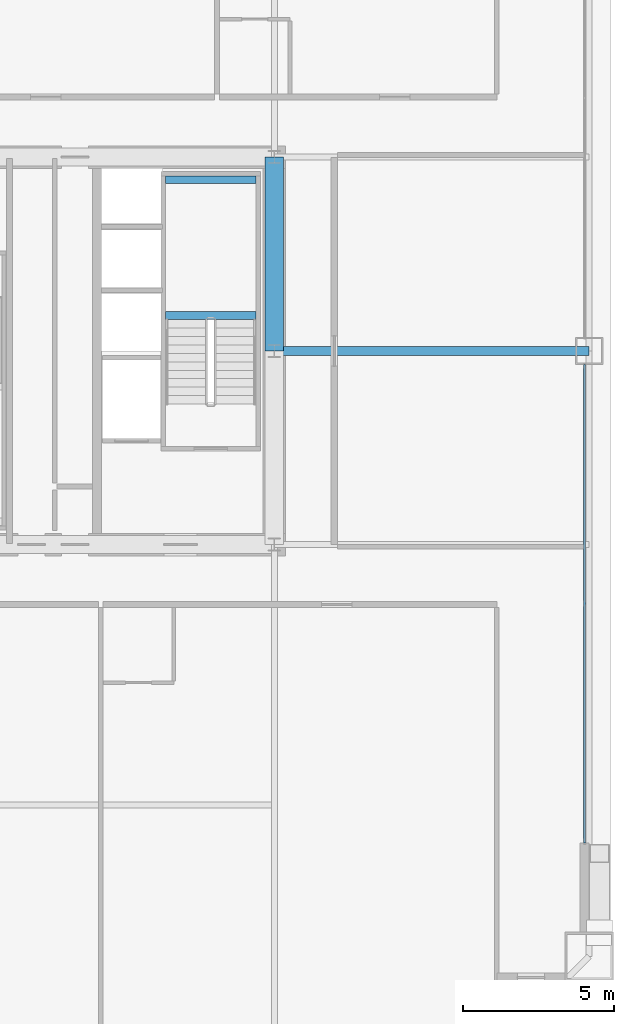
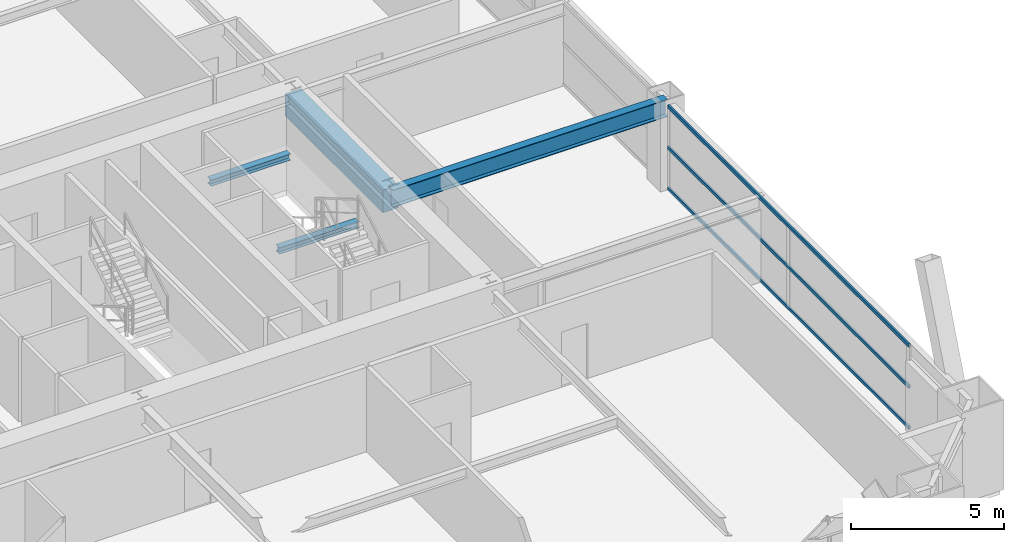
# One storey, part 21 of 43: 4 beams, 3 members, 1 element without a shape of its own.
"""IFC4 building model written with IfcOpenShell, lengths in metres."""

from ifc_helpers import new_model, si_unit, direction, frame, origin, origin_2d, place, context, subcontext, project, spatial, rectangle, hollow_rectangle, i_section, extrude, source, transform, mapped, material, layer, layer_set, material_profile, profile_set, type_object, element, aggregate, save


model = new_model("IFC4")

# Units and contexts
model_context = context("Model", 3, precision=1e-05, world=origin(), true_north=direction((0.0, 1.0)))
body_context = subcontext(model_context, "Body", "Model", "MODEL_VIEW")
ifc_project = project(units=[si_unit("LENGTHUNIT", "METRE"), si_unit("AREAUNIT", "SQUARE_METRE"), si_unit("VOLUMEUNIT", "CUBIC_METRE"), si_unit("PLANEANGLEUNIT", "RADIAN"), si_unit("MASSUNIT", "GRAM", prefix="KILO"), si_unit("THERMODYNAMICTEMPERATUREUNIT", "KELVIN"), si_unit("POWERUNIT", "WATT")], contexts=[model_context])

# Site, building, storey
site_placement = place(None, origin())
site = spatial("IfcSite", under=ifc_project, at=site_placement, CompositionType="ELEMENT")
building_placement = place(site_placement, origin())
building = spatial("IfcBuilding", under=site, at=building_placement, Name="Yuzanri Waterfront Tower", CompositionType="ELEMENT")
storey_placement = place(building_placement, frame((0.0, 0.0, 108.199951171875)))
storey = spatial("IfcBuildingStorey", under=building, at=storey_placement, Name="L28", CompositionType="ELEMENT", Elevation=108.199951171875)

# Beams
ifc_material_1 = material(Name="Concrete C60", Category="concrete")
ifc_material_profile_1 = material_profile(ifc_material_1, rectangle(XDim=0.60009765625, YDim=0.89990234375, at=origin_2d()), Name="RC 600x900")
ifc_profile_set_1 = profile_set([ifc_material_profile_1], Name="Concrete C60")
beam_type_1 = type_object("IfcBeamType", Name="Core Coupling Lintel Concrete C60 600x900", PredefinedType="LINTEL", material=ifc_profile_set_1)
shared_shape_1 = source(origin(), body_context, "Body", "SweptSolid", [
    extrude(rectangle(XDim=0.60009765625, YDim=0.89990234375, at=origin_2d()), origin(), (0.0, 0.0, 1.0), 6.39990234375),
])
beam_1_placement = place(storey_placement, frame((50.199951171875, 25.800048828125, 2.929931640625), z_axis=(0.0, 1.0, 0.0), x_axis=(-1.0, 0.0, 0.0)))
element("IfcBeam", 1, at=beam_1_placement, inside=storey, type_object=beam_type_1, Name="L28 Core Tie Beam CE2", PredefinedType="LINTEL", context=body_context, shape_type="MappedRepresentation", body=[
    mapped(shared_shape_1, transform((0.0, 0.0, 0.0), scale=1.0)),
])
ifc_material_2 = material(Name="Steel Q355B", Category="steel")
ifc_material_profile_2 = material_profile(ifc_material_2, i_section(OverallWidth=0.300048828125, OverallDepth=0.699951171875, WebThickness=0.012939453125, FlangeThickness=0.02392578125, at=origin_2d()), Name="HN 700x300x13x24")
ifc_profile_set_2 = profile_set([ifc_material_profile_2], Name="Steel Q355B")
beam_type_2 = type_object("IfcBeamType", Name="Primary Floor Girder Q355B HN 700x300", PredefinedType="BEAM", material=ifc_profile_set_2)
shared_shape_2 = source(origin(), body_context, "Body", "SweptSolid", [
    extrude(i_section(OverallWidth=0.300048828125, OverallDepth=0.699951171875, WebThickness=0.012939453125, FlangeThickness=0.02392578125, at=origin_2d()), origin(), (0.0, 0.0, 1.0), 10.400146484375),
])
beam_2_placement = place(storey_placement, frame((50.199951171875, 25.800048828125, 3.030029296875), z_axis=(1.0, 0.0, 0.0), x_axis=(0.0, 1.0, 0.0)))
element("IfcBeam", 2, at=beam_2_placement, inside=storey, type_object=beam_type_2, Name="L28 East Grid Girder", PredefinedType="BEAM", context=body_context, shape_type="MappedRepresentation", body=[
    mapped(shared_shape_2, transform((0.0, 0.0, 0.0), scale=1.0)),
])

# Curtain wall, members
ifc_material_3 = material(Name="Anodized Architectural Bronze", Category="metal")
ifc_layer = layer(ifc_material_3, 0.159912109375)
ifc_layer_set = layer_set([ifc_layer], Name="Anodized Architectural Bronze")
curtain_wall_type = type_object("IfcCurtainWallType", Name="Anodized Bronze Hotel Upper-Tier Solar-Control Unitized Curtain Wall 7800", PredefinedType="NOTDEFINED", material=ifc_layer_set)
curtain_wall_placement = place(storey_placement, origin())
curtain_wall = element("IfcCurtainWall", 3, at=curtain_wall_placement, inside=storey, type_object=curtain_wall_type, Name="L28 Curtain Wall CW-L28-EL", PredefinedType="NOTDEFINED")
ifc_material_4 = material(Name="Anodized Architectural Bronze", Category="metal")
ifc_material_profile_3 = material_profile(ifc_material_4, hollow_rectangle(XDim=0.070068359375, YDim=0.135009765625, WallThickness=0.00341796875, at=origin_2d()), Name="CWT 70x135")
ifc_profile_set_3 = profile_set([ifc_material_profile_3], Name="Anodized Architectural Bronze")
member_type = type_object("IfcMemberType", Name="Anodized Bronze Standard Curtain-Wall Transom 70x135", PredefinedType="USERDEFINED", material=ifc_profile_set_3)
shared_shape_3 = source(origin(), body_context, "Body", "SweptSolid", [
    extrude(hollow_rectangle(XDim=0.070068359375, YDim=0.135009765625, WallThickness=0.00341796875, at=origin_2d()), origin(), (0.0, 0.0, 1.0), 15.800048828125),
])
member_1_placement = place(storey_placement, frame((60.449951171875, 9.550048828125, 0.050048828125), z_axis=(0.0, 1.0, 0.0), x_axis=(-1.0, 0.0, 0.0)))
member_1 = element("IfcMember", 4, at=member_1_placement, type_object=member_type, Name="CW-L28-EL Transom 1", ObjectType="TRANSOM", PredefinedType="USERDEFINED", context=body_context, shape_type="MappedRepresentation", body=[
    mapped(shared_shape_3, transform((0.0, 0.0, 0.0), scale=1.0)),
])
member_2_placement = place(storey_placement, frame((60.449951171875, 9.550048828125, 1.68994140625), z_axis=(0.0, 1.0, 0.0), x_axis=(-1.0, 0.0, 0.0)))
member_2 = element("IfcMember", 5, at=member_2_placement, type_object=member_type, Name="CW-L28-EL Transom 2", ObjectType="TRANSOM", PredefinedType="USERDEFINED", context=body_context, shape_type="MappedRepresentation", body=[
    mapped(shared_shape_3, transform((0.0, 0.0, 0.0), scale=1.0)),
])
member_3_placement = place(storey_placement, frame((60.449951171875, 9.550048828125, 3.330078125), z_axis=(0.0, 1.0, 0.0), x_axis=(-1.0, 0.0, 0.0)))
member_3 = element("IfcMember", 6, at=member_3_placement, type_object=member_type, Name="CW-L28-EL Transom 3", ObjectType="TRANSOM", PredefinedType="USERDEFINED", context=body_context, shape_type="MappedRepresentation", body=[
    mapped(shared_shape_3, transform((0.0, 0.0, 0.0), scale=1.0)),
])
aggregate(curtain_wall, [member_1, member_2, member_3])

# Beams
ifc_material_5 = material(Name="Steel Q355B", Category="steel")
ifc_material_profile_4 = material_profile(ifc_material_5, i_section(OverallWidth=0.25, OverallDepth=0.25, WebThickness=0.009033203125, FlangeThickness=0.013916015625, at=origin_2d()), Name="HW 250x250x9x14")
ifc_profile_set_4 = profile_set([ifc_material_profile_4], Name="Steel Q355B")
beam_type_3 = type_object("IfcBeamType", Name="Stair Landing Support Beam Q355B HW 250x250", PredefinedType="BEAM", material=ifc_profile_set_4)
shared_shape_4 = source(origin(), body_context, "Body", "SweptSolid", [
    extrude(i_section(OverallWidth=0.25, OverallDepth=0.25, WebThickness=0.009033203125, FlangeThickness=0.013916015625, at=origin_2d()), origin(), (0.0, 0.0, 1.0), 3.0),
])
for number, where, z_axis, x_axis, name in (
    (7, (46.60009765625, 26.969970703125, 1.47509765625), (1.0, 0.0, 0.0), (0.0, 1.0, 0.0), "L28 Stair Landing Support Beam ST-02-L28-L1-1"),
    (8, (46.60009765625, 31.449951171875, 1.47509765625), (1.0, 0.0, 0.0), (0.0, 1.0, 0.0), "L28 Stair Landing Support Beam ST-02-L28-L1-2"),
):
    element("IfcBeam", number, at=place(storey_placement, frame(where, z_axis=z_axis, x_axis=x_axis)), inside=storey, type_object=beam_type_3, Name=name, PredefinedType="BEAM", context=body_context, shape_type="MappedRepresentation", body=[
        mapped(shared_shape_4, transform((0.0, 0.0, 0.0), scale=1.0)),
    ])

save(model, "model.ifc")
